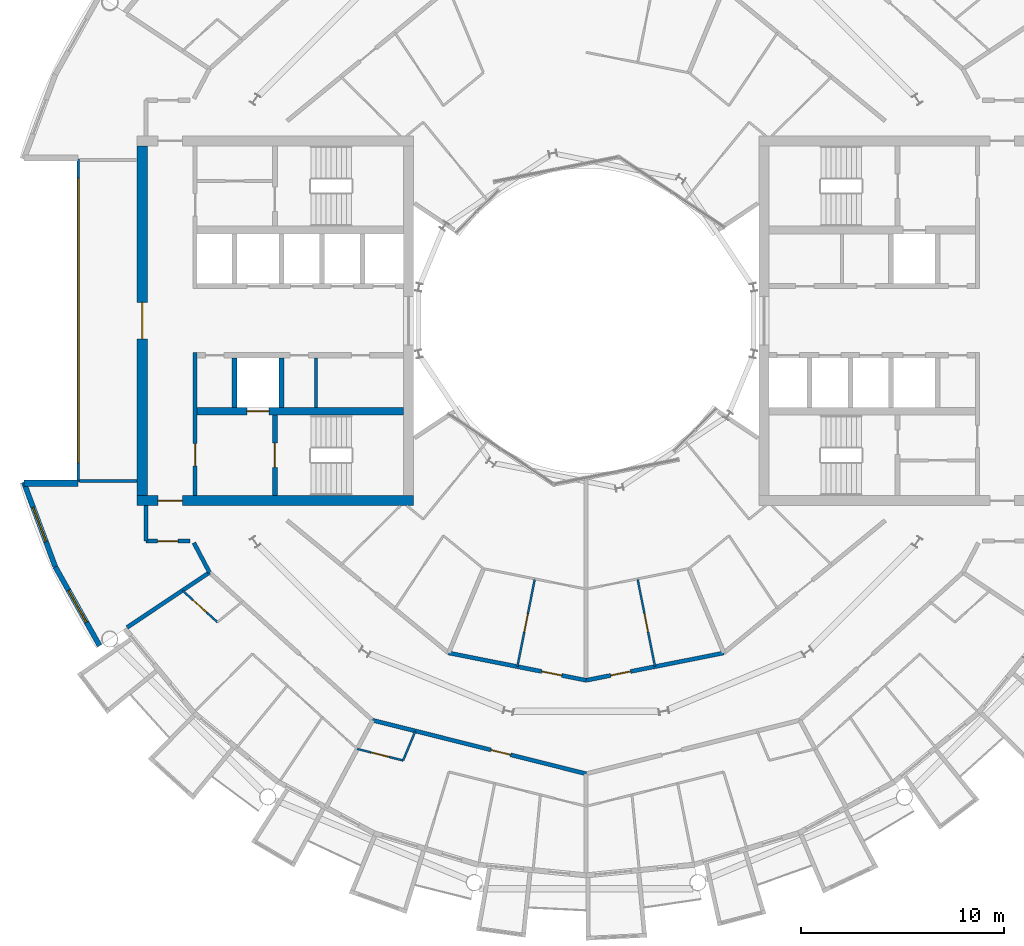
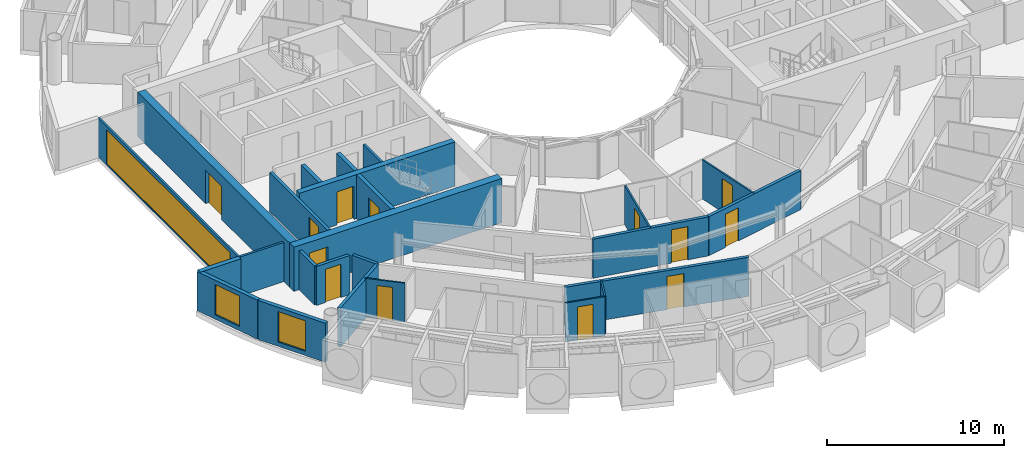
# One storey, part 15 of 27: 25 walls, 13 doors, 3 windows, 16 openings.
"""IFC4 building model written with IfcOpenShell, lengths in metres."""

import ifcopenshell
import ifcopenshell.guid

model = None  # the IFC model being written
_history = None  # IfcOwnerHistory: only IFC2X3 demands one
_inside = {}  # id of a spatial element -> (the spatial element, [elements in it])
_under = {}  # id of a project, library or spatial element -> (it, [spatial elements below it])
_declared = {}  # id of a project -> (the project, [libraries it declares])
_typed = {}  # id of a type object -> (the type object, [elements of that type])
_made_of = {}  # id of a material, layer set ... -> (it, [elements and type objects made of it])


def new_model(schema):
    """Start an empty IFC model of exactly this schema.

    Asked for "IFC4X3", IfcOpenShell would pick the latest addendum, in which some entities
    have other attributes; the version numbers below select the first issue.
    IFC2X3 requires an IfcOwnerHistory on every rooted entity: one is made here for all.
    """
    global model, _history
    if schema == "IFC4X3":
        model = ifcopenshell.file(schema_version=(4, 3, 0, 0))
    else:
        model = ifcopenshell.file(schema=schema)
    _inside.clear()
    _under.clear()
    _declared.clear()
    _typed.clear()
    _made_of.clear()
    _history = None
    if model.schema == "IFC2X3":
        org = make("IfcOrganization", Name="unknown")
        user = make(
            "IfcPersonAndOrganization",
            ThePerson=make("IfcPerson", FamilyName="unknown"),
            TheOrganization=org,
        )
        app = make(
            "IfcApplication",
            ApplicationDeveloper=org,
            Version="unknown",
            ApplicationFullName="unknown",
            ApplicationIdentifier="unknown",
        )
        _history = make(
            "IfcOwnerHistory",
            OwningUser=user,
            OwningApplication=app,
            ChangeAction="ADDED",
            CreationDate=0,
        )
    return model


def make(cls, **values):
    """One entity of the class cls with the attributes given. An attribute that is None is left unset."""
    return model.create_entity(
        cls, **{name: value for name, value in values.items() if value is not None}
    )


def rooted(cls, **values):
    """An entity with a GlobalId (a new one), such as an element, a storey or a relation."""
    return make(cls, GlobalId=ifcopenshell.guid.new(), OwnerHistory=_history, **values)


def si_unit(unit_type, name, prefix=None):
    """IfcSIUnit, for example si_unit("LENGTHUNIT", "METRE", prefix="MILLI")."""
    return make("IfcSIUnit", UnitType=unit_type, Prefix=prefix, Name=name)


def assignment(units):
    """IfcUnitAssignment: the units of a project."""
    return None if units is None else make("IfcUnitAssignment", Units=units)


def point(xyz):
    """IfcCartesianPoint."""
    return None if xyz is None else make("IfcCartesianPoint", Coordinates=xyz)


def direction(xyz):
    """IfcDirection."""
    return None if xyz is None else make("IfcDirection", DirectionRatios=xyz)


def frame(location, z_axis=None, x_axis=None):
    """IfcAxis2Placement3D, a coordinate frame: its origin and axes. An axis left out is left unset."""
    return make(
        "IfcAxis2Placement3D",
        Location=point(location),
        Axis=direction(z_axis),
        RefDirection=direction(x_axis),
    )


def frame_2d(location, x_axis=None):
    """IfcAxis2Placement2D, a coordinate frame in the plane: its origin and x axis."""
    return make(
        "IfcAxis2Placement2D", Location=point(location), RefDirection=direction(x_axis)
    )


def origin():
    """The frame at (0, 0, 0) with its axes left unset."""
    return frame((0.0, 0.0, 0.0))


def place(relative_to, where):
    """IfcLocalPlacement: puts the frame where relative to a parent placement (None: the world)."""
    return make(
        "IfcLocalPlacement", PlacementRelTo=relative_to, RelativePlacement=where
    )


def context(
    kind, dimensions, precision=None, world=None, true_north=None, identifier=None
):
    """IfcGeometricRepresentationContext, for example the 3D "Model" context."""
    return make(
        "IfcGeometricRepresentationContext",
        ContextIdentifier=identifier,
        ContextType=kind,
        CoordinateSpaceDimension=dimensions,
        Precision=precision,
        WorldCoordinateSystem=world,
        TrueNorth=true_north,
    )


def subcontext(parent, identifier, kind, view, scale=None):
    """IfcGeometricRepresentationSubContext, for example "Body" below "Model"."""
    return make(
        "IfcGeometricRepresentationSubContext",
        ContextIdentifier=identifier,
        ContextType=kind,
        ParentContext=parent,
        TargetScale=scale,
        TargetView=view,
    )


def project(units=None, contexts=None):
    """IfcProject with its units and contexts."""
    return rooted(
        "IfcProject",
        Name="project",
        RepresentationContexts=contexts,
        UnitsInContext=assignment(units),
    )


def spatial(cls, under=None, at=None, **own):
    """A site, building, storey or space (cls), placed at a placement, below another one or the project."""
    s = rooted(cls, ObjectPlacement=at, **own)
    if under is not None:
        _under.setdefault(under.id(), (under, []))[1].append(s)
    return s


def profile(cls, at=None, kind="AREA", **sizes):
    """A parametric profile (cls). Its sizes go by their IFC names, for example OverallWidth=200.0."""
    return make(cls, ProfileType=kind, Position=at, **sizes)


def rectangle(**sizes):
    """IfcRectangleProfileDef."""
    return profile("IfcRectangleProfileDef", **sizes)


def extrude(swept, where, along, depth):
    """IfcExtrudedAreaSolid: the profile swept, set in the frame where, extruded along a direction by depth."""
    return make(
        "IfcExtrudedAreaSolid",
        SweptArea=swept,
        Position=where,
        ExtrudedDirection=direction(along),
        Depth=depth,
    )


def shape(context_of_items, identifier, shape_type, items):
    """IfcShapeRepresentation: the items that make up one representation, for example the "Body"."""
    return make(
        "IfcShapeRepresentation",
        ContextOfItems=context_of_items,
        RepresentationIdentifier=identifier,
        RepresentationType=shape_type,
        Items=items,
    )


def material(Name=None, Category=None):
    """IfcMaterial."""
    return make("IfcMaterial", Name=Name, Category=Category)


def layer(
    of_material, thickness, ventilated=None, Name=None, Category=None, Priority=None
):
    """IfcMaterialLayer: one layer of a wall or slab, of a material (None: an air gap)."""
    return make(
        "IfcMaterialLayer",
        Material=of_material,
        LayerThickness=thickness,
        IsVentilated=ventilated,
        Name=Name,
        Category=Category,
        Priority=Priority,
    )


def layer_set(layers, Name=None):
    """IfcMaterialLayerSet."""
    return make("IfcMaterialLayerSet", MaterialLayers=layers, LayerSetName=Name)


def made_of(thing, what):
    """Note that an element or type object is made of a material, layer set ...; save() writes the relation."""
    if what is not None:
        _made_of.setdefault(what.id(), (what, []))[1].append(thing)
    return thing


def type_object(cls, material=None, **own):
    """A type object (cls), such as IfcWallType, which elements share."""
    return made_of(rooted(cls, **own), material)


def element(
    cls,
    number,
    at=None,
    inside=None,
    cuts=None,
    type_object=None,
    material=None,
    context=None,
    identifier="Body",
    shape_type=None,
    held_by="IfcProductDefinitionShape",
    body=None,
    shapes=None,
    **own,
):
    """One element of the class cls, such as IfcWall. Its Tag is "e" and its number.

    at: its placement. inside: the storey or other place that contains it. cuts: it is an
    opening in that element (IfcRelVoidsElement). A single representation is given by context,
    identifier, shape_type and body (its items); several are given by shapes. held_by: the class
    of the entity that holds the representations. save() writes the other relations.
    """
    e = rooted(cls, Tag="e%d" % number, ObjectPlacement=at, **own)
    if body is not None:
        shapes = [shape(context, identifier, shape_type, body)]
    if shapes is not None:
        e.Representation = make(held_by, Representations=shapes)
    if inside is not None:
        _inside.setdefault(inside.id(), (inside, []))[1].append(e)
    if cuts is not None:
        rooted(
            "IfcRelVoidsElement", RelatingBuildingElement=cuts, RelatedOpeningElement=e
        )
    if type_object is not None:
        _typed.setdefault(type_object.id(), (type_object, []))[1].append(e)
    return made_of(e, material)


def fill(opening, filler):
    """IfcRelFillsElement: the door or window that sits in an opening."""
    return rooted(
        "IfcRelFillsElement",
        RelatingOpeningElement=opening,
        RelatedBuildingElement=filler,
    )


def aggregate(whole, parts):
    """IfcRelAggregates: a whole, such as a stair, and the parts it consists of."""
    return rooted("IfcRelAggregates", RelatingObject=whole, RelatedObjects=parts)


def save(model, path):
    """Write the relations noted so far, then the file.

    IfcRelAggregates (storeys below a building ...), IfcRelContainedInSpatialStructure (elements
    in a storey), IfcRelDefinesByType, IfcRelAssociatesMaterial and IfcRelDeclares: one each for
    every whole, place, type object, material and project.
    """
    for whole, parts in _under.values():
        aggregate(whole, parts)
    for where, things in _inside.values():
        rooted(
            "IfcRelContainedInSpatialStructure",
            RelatedElements=things,
            RelatingStructure=where,
        )
    for kind, things in _typed.values():
        rooted("IfcRelDefinesByType", RelatedObjects=things, RelatingType=kind)
    for what, things in _made_of.values():
        rooted("IfcRelAssociatesMaterial", RelatedObjects=things, RelatingMaterial=what)
    for by, libraries in _declared.values():
        rooted("IfcRelDeclares", RelatingContext=by, RelatedDefinitions=libraries)
    model.write(path)


model = new_model("IFC4")

# Units and contexts
model_context = context("Model", 3, precision=1e-05, world=origin(), true_north=direction((0.0, 1.0)))
body_context = subcontext(model_context, "Body", "Model", "MODEL_VIEW")
ifc_project = project(units=[si_unit("LENGTHUNIT", "METRE"), si_unit("AREAUNIT", "SQUARE_METRE"), si_unit("VOLUMEUNIT", "CUBIC_METRE"), si_unit("PLANEANGLEUNIT", "RADIAN"), si_unit("MASSUNIT", "GRAM", prefix="KILO")], contexts=[model_context])

# Site, building, storey
site_placement = place(None, origin())
site = spatial("IfcSite", under=ifc_project, at=site_placement, CompositionType="ELEMENT")
building_placement = place(site_placement, origin())
building = spatial("IfcBuilding", under=site, at=building_placement, Name="Maasbend Ring Residences", CompositionType="ELEMENT")
storey_placement = place(building_placement, frame((0.0, 0.0, 164.64990234375)))
storey = spatial("IfcBuildingStorey", under=building, at=storey_placement, Name="L47", CompositionType="ELEMENT", Elevation=164.64990234375)

# Wall, opening, door
ifc_material_1 = material(Name="Concrete C60/75", Category="concrete")
ifc_layer_1 = layer(ifc_material_1, 0.25)
ifc_layer_set_1 = layer_set([ifc_layer_1], Name="Concrete C60/75")
wall_type_1 = type_object("IfcWallType", Name="CORE WALL 250 C60/75", PredefinedType="SHEAR", material=ifc_layer_set_1)
wall_1_placement = place(storey_placement, frame((-15.324951171875, -4.64990234375, 0.0), z_axis=(0.0, 0.0, 1.0), x_axis=(0.0, -1.0, 0.0)))
wall_1 = element("IfcWall", 1, at=wall_1_placement, inside=storey, type_object=wall_type_1, Name="L47 core W wall STEN", PredefinedType="SHEAR", context=body_context, shape_type="SweptSolid", body=[
    extrude(rectangle(XDim=3.9501953125, YDim=0.25, at=frame_2d((1.97509765625, 0.0))), origin(), (0.0, 0.0, 1.0), 3.050048828125),
])
opening_1_placement = place(wall_1_placement, frame((1.375, 0.0, 0.0)))
opening_1 = element("IfcOpeningElement", 2, at=opening_1_placement, cuts=wall_1, Name="Opening D-W4710", PredefinedType="OPENING", context=body_context, shape_type="SweptSolid", body=[
    extrude(rectangle(XDim=1.199951171875, YDim=2.300048828125, at=frame_2d((0.60009765625, 1.14990234375))), frame((0.0, 0.135009765625, 0.0), z_axis=(0.0, -1.0, 0.0), x_axis=(1.0, 0.0, 0.0)), (0.0, 0.0, 1.0), 0.27001953125),
])
ifc_material_2 = material(Name="Steel, powder coated", Category="steel")
door_type_1 = type_object("IfcDoorType", Name="STAIR DOOR 1200 X 2300 FD60", OperationType="NOTDEFINED", PredefinedType="DOOR", material=ifc_material_2)
door_1_placement = place(opening_1_placement, origin())
door_1 = element("IfcDoor", 3, at=door_1_placement, inside=storey, type_object=door_type_1, Name="Stair door ST-W L47", OperationType="SINGLE_SWING_LEFT", OverallHeight=2.300048828125, OverallWidth=1.199951171875, PredefinedType="DOOR", context=body_context, shape_type="SweptSolid", body=[
    extrude(rectangle(XDim=1.199951171875, YDim=2.300048828125, at=frame_2d((0.60009765625, 1.14990234375))), frame((0.0, 0.02490234375, 0.0), z_axis=(0.0, -1.0, 0.0), x_axis=(1.0, 0.0, 0.0)), (0.0, 0.0, 1.0), 0.050048828125),
])
fill(opening_1, door_1)

ifc_material_3 = material(Name="Concrete C60/75", Category="concrete")
ifc_layer_2 = layer(ifc_material_3, 0.375)
ifc_layer_set_2 = layer_set([ifc_layer_2], Name="Concrete C60/75")
wall_type_2 = type_object("IfcWallType", Name="CORE WALL 375 C60/75", PredefinedType="SHEAR", material=ifc_layer_set_2)
wall_2_placement = place(storey_placement, frame((-9.0, -4.46240234375, 0.0), z_axis=(0.0, 0.0, 1.0), x_axis=(-1.0, 0.0, 0.0)))
wall_2 = element("IfcWall", 4, at=wall_2_placement, inside=storey, type_object=wall_type_2, Name="L47 core W wall BN", PredefinedType="SHEAR", context=body_context, shape_type="SweptSolid", body=[
    extrude(rectangle(XDim=10.14990234375, YDim=0.375, at=frame_2d((5.074951171875, 0.0))), origin(), (0.0, 0.0, 1.0), 3.050048828125),
])
opening_2_placement = place(wall_2_placement, frame((6.60009765625, 0.0, 0.0)))
opening_2 = element("IfcOpeningElement", 5, at=opening_2_placement, cuts=wall_2, Name="Opening LD-W4701", PredefinedType="OPENING", context=body_context, shape_type="SweptSolid", body=[
    extrude(rectangle(XDim=1.10009765625, YDim=2.300048828125, at=frame_2d((0.550048828125, 1.14990234375))), frame((0.0, 0.197509765625, 0.0), z_axis=(0.0, -1.0, 0.0), x_axis=(1.0, 0.0, 0.0)), (0.0, 0.0, 1.0), 0.39501953125),
])
ifc_material_4 = material(Name="Stainless steel 316", Category="steel")
door_type_2 = type_object("IfcDoorType", Name="LANDING DOOR 1100 X 2300 FD60", OperationType="DOUBLE_DOOR_SLIDING", PredefinedType="DOOR", material=ifc_material_4)
door_2_placement = place(opening_2_placement, origin())
door_2 = element("IfcDoor", 6, at=door_2_placement, inside=storey, type_object=door_type_2, Name="Landing door FF-W L47", OperationType="DOUBLE_DOOR_SLIDING", OverallHeight=2.300048828125, OverallWidth=1.10009765625, PredefinedType="DOOR", context=body_context, shape_type="SweptSolid", body=[
    extrude(rectangle(XDim=1.10009765625, YDim=2.300048828125, at=frame_2d((0.550048828125, 1.14990234375))), frame((0.0, 0.02490234375, 0.0), z_axis=(0.0, -1.0, 0.0), x_axis=(1.0, 0.0, 0.0)), (0.0, 0.0, 1.0), 0.050048828125),
])
fill(opening_2, door_2)

ifc_material_5 = material(Name="Concrete C60/75", Category="concrete")
ifc_layer_3 = layer(ifc_material_5, 0.5)
ifc_layer_set_3 = layer_set([ifc_layer_3], Name="Concrete C60/75")
wall_type_3 = type_object("IfcWallType", Name="CORE WALL 500 C60/75", PredefinedType="SHEAR", material=ifc_layer_set_3)
wall_3_placement = place(storey_placement, frame((-22.10009765625, -8.85009765625, 0.0), z_axis=(0.0, 0.0, 1.0), x_axis=(1.0, 0.0, 0.0)))
wall_3 = element("IfcWall", 7, at=wall_3_placement, inside=storey, type_object=wall_type_3, Name="L47 core W wall PN", PredefinedType="SHEAR", context=body_context, shape_type="SweptSolid", body=[
    extrude(rectangle(XDim=13.60009765625, YDim=0.5, at=frame_2d((6.800048828125, 0.0))), origin(), (0.0, 0.0, 1.0), 3.050048828125),
])
opening_3_placement = place(wall_3_placement, frame((1.02490234375, 0.0, 0.0)))
opening_3 = element("IfcOpeningElement", 8, at=opening_3_placement, cuts=wall_3, Name="Opening D-W4714", PredefinedType="OPENING", context=body_context, shape_type="SweptSolid", body=[
    extrude(rectangle(XDim=1.199951171875, YDim=2.300048828125, at=frame_2d((0.60009765625, 1.14990234375))), frame((0.0, 0.260009765625, 0.0), z_axis=(0.0, -1.0, 0.0), x_axis=(1.0, 0.0, 0.0)), (0.0, 0.0, 1.0), 0.52001953125),
])
ifc_material_6 = material(Name="Steel, powder coated", Category="steel")
door_type_3 = type_object("IfcDoorType", Name="CORRIDOR DOOR 1200 X 2300 FD30S", OperationType="NOTDEFINED", PredefinedType="DOOR", material=ifc_material_6)
door_3_placement = place(opening_3_placement, origin())
door_3 = element("IfcDoor", 9, at=door_3_placement, inside=storey, type_object=door_type_3, Name="Corridor door L47", OperationType="SINGLE_SWING_RIGHT", OverallHeight=2.300048828125, OverallWidth=1.199951171875, PredefinedType="DOOR", context=body_context, shape_type="SweptSolid", body=[
    extrude(rectangle(XDim=1.199951171875, YDim=2.300048828125, at=frame_2d((0.60009765625, 1.14990234375))), frame((0.0, 0.02490234375, 0.0), z_axis=(0.0, -1.0, 0.0), x_axis=(1.0, 0.0, 0.0)), (0.0, 0.0, 1.0), 0.050048828125),
])
fill(opening_3, door_3)

wall_4_placement = place(storey_placement, frame((-21.85009765625, -8.60009765625, 0.0), z_axis=(0.0, 0.0, 1.0), x_axis=(0.0, 1.0, 0.0)))
wall_4 = element("IfcWall", 10, at=wall_4_placement, inside=storey, type_object=wall_type_3, Name="L47 core W wall POUT", PredefinedType="SHEAR", context=body_context, shape_type="SweptSolid", body=[
    extrude(rectangle(XDim=17.2001953125, YDim=0.5, at=frame_2d((8.60009765625, 0.0))), origin(), (0.0, 0.0, 1.0), 3.050048828125),
])
opening_4_placement = place(wall_4_placement, frame((7.699951171875, 0.0, 0.0)))
opening_4 = element("IfcOpeningElement", 11, at=opening_4_placement, cuts=wall_4, Name="Opening D-W4716", PredefinedType="OPENING", context=body_context, shape_type="SweptSolid", body=[
    extrude(rectangle(XDim=1.800048828125, YDim=2.300048828125, at=frame_2d((0.89990234375, 1.14990234375))), frame((0.0, 0.260009765625, 0.0), z_axis=(0.0, -1.0, 0.0), x_axis=(1.0, 0.0, 0.0)), (0.0, 0.0, 1.0), 0.52001953125),
])
ifc_material_7 = material(Name="Aluminium frame, clear glass", Category="aluminium")
door_type_4 = type_object("IfcDoorType", Name="ENTRANCE DOOR 1800 X 2300 FD60", OperationType="NOTDEFINED", PredefinedType="DOOR", material=ifc_material_7)
door_4_placement = place(opening_4_placement, origin())
door_4 = element("IfcDoor", 12, at=door_4_placement, inside=storey, type_object=door_type_4, Name="Lobby glazed door L47", OperationType="SINGLE_SWING_LEFT", OverallHeight=2.300048828125, OverallWidth=1.800048828125, PredefinedType="DOOR", context=body_context, shape_type="SweptSolid", body=[
    extrude(rectangle(XDim=1.800048828125, YDim=2.300048828125, at=frame_2d((0.89990234375, 1.14990234375))), frame((0.0, 0.02490234375, 0.0), z_axis=(0.0, -1.0, 0.0), x_axis=(1.0, 0.0, 0.0)), (0.0, 0.0, 1.0), 0.050048828125),
])
fill(opening_4, door_4)

# Wall
ifc_material_8 = material(Name="Concrete C30/37", Category="concrete")
ifc_layer_4 = layer(ifc_material_8, 0.199951171875)
ifc_layer_set_4 = layer_set([ifc_layer_4], Name="Concrete C30/37")
wall_type_4 = type_object("IfcWallType", Name="CORRIDOR WALL 200 CONCRETE", PredefinedType="PARTITIONING", material=ifc_layer_set_4)
wall_5_placement = place(storey_placement, frame((-19.306884765625, -10.93505859375, 0.0), z_axis=(0.0, 0.0, 1.0), x_axis=(0.465605550524, -0.884992356646, 0.0)))
element("IfcWall", 13, at=wall_5_placement, inside=storey, type_object=wall_type_4, Name="U-L47-w009", PredefinedType="PARTITIONING", context=body_context, shape_type="SweptSolid", body=[
    extrude(rectangle(XDim=1.642822265625, YDim=0.199951171875, at=frame_2d((0.8212890625, 0.0))), origin(), (0.0, 0.0, 1.0), 2.7001953125),
])

# Wall, opening, door
wall_6_placement = place(storey_placement, frame((-10.51806640625, -19.6650390625, 0.0), z_axis=(0.0, 0.0, 1.0), x_axis=(0.970023181991, -0.243012399685, 0.0)))
wall_6 = element("IfcWall", 14, at=wall_6_placement, inside=storey, type_object=wall_type_4, Name="U-L47-w014", PredefinedType="PARTITIONING", context=body_context, shape_type="SweptSolid", body=[
    extrude(rectangle(XDim=10.843017578125, YDim=0.199951171875, at=frame_2d((5.42138671875, 0.0))), origin(), (0.0, 0.0, 1.0), 2.7001953125),
])
opening_5_placement = place(wall_6_placement, frame((6.008056640625, 0.0, 0.0)))
opening_5 = element("IfcOpeningElement", 15, at=opening_5_placement, cuts=wall_6, Name="Opening D-4737", PredefinedType="OPENING", context=body_context, shape_type="SweptSolid", body=[
    extrude(rectangle(XDim=1.0, YDim=2.300048828125, at=frame_2d((0.5, 1.14990234375))), frame((0.0, 0.10986328125, 0.0), z_axis=(0.0, -1.0, 0.0), x_axis=(1.0, 0.0, 0.0)), (0.0, 0.0, 1.0), 0.219970703125),
])
ifc_material_9 = material(Name="Timber, fire-rated, painted", Category="wood")
door_type_5 = type_object("IfcDoorType", Name="FLAT ENTRANCE DOOR 1000 X 2300 FIRE-RATED", OperationType="NOTDEFINED", PredefinedType="DOOR", material=ifc_material_9)
door_5_placement = place(opening_5_placement, origin())
door_5 = element("IfcDoor", 16, at=door_5_placement, inside=storey, type_object=door_type_5, Name="D-4737", OperationType="SINGLE_SWING_RIGHT", OverallHeight=2.300048828125, OverallWidth=1.0, PredefinedType="DOOR", context=body_context, shape_type="SweptSolid", body=[
    extrude(rectangle(XDim=1.0, YDim=2.300048828125, at=frame_2d((0.5, 1.14990234375))), frame((0.0, 0.02490234375, 0.0), z_axis=(0.0, -1.0, 0.0), x_axis=(1.0, 0.0, 0.0)), (0.0, 0.0, 1.0), 0.050048828125),
])
fill(opening_5, door_5)

wall_7_placement = place(storey_placement, frame((-6.77294921875, -16.35302734375, 0.0), z_axis=(0.0, 0.0, 1.0), x_axis=(0.980804334721, -0.194994505033, 0.0)))
wall_7 = element("IfcWall", 17, at=wall_7_placement, inside=storey, type_object=wall_type_4, Name="U-L47-w017", PredefinedType="PARTITIONING", context=body_context, shape_type="SweptSolid", body=[
    extrude(rectangle(XDim=6.907470703125, YDim=0.199951171875, at=frame_2d((3.45361328125, 0.0))), origin(), (0.0, 0.0, 1.0), 2.7001953125),
])
opening_6_placement = place(wall_7_placement, frame((4.679931640625, 0.0, 0.0)))
opening_6 = element("IfcOpeningElement", 18, at=opening_6_placement, cuts=wall_7, Name="Opening D-4756", PredefinedType="OPENING", context=body_context, shape_type="SweptSolid", body=[
    extrude(rectangle(XDim=1.0, YDim=2.300048828125, at=frame_2d((0.5, 1.14990234375))), frame((0.0, 0.10986328125, 0.0), z_axis=(0.0, -1.0, 0.0), x_axis=(1.0, 0.0, 0.0)), (0.0, 0.0, 1.0), 0.219970703125),
])
door_6_placement = place(opening_6_placement, origin())
door_6 = element("IfcDoor", 19, at=door_6_placement, inside=storey, type_object=door_type_5, Name="D-4756", OperationType="SINGLE_SWING_RIGHT", OverallHeight=2.300048828125, OverallWidth=1.0, PredefinedType="DOOR", context=body_context, shape_type="SweptSolid", body=[
    extrude(rectangle(XDim=1.0, YDim=2.300048828125, at=frame_2d((0.5, 1.14990234375))), frame((0.0, 0.02490234375, 0.0), z_axis=(0.0, -1.0, 0.0), x_axis=(1.0, 0.0, 0.0)), (0.0, 0.0, 1.0), 0.050048828125),
])
fill(opening_6, door_6)

wall_8_placement = place(storey_placement, frame((-0.001953125, -17.699951171875, 0.0), z_axis=(0.0, 0.0, 1.0), x_axis=(0.98081508138, 0.194940442538, 0.0)))
wall_8 = element("IfcWall", 20, at=wall_8_placement, inside=storey, type_object=wall_type_4, Name="U-L47-w018", PredefinedType="PARTITIONING", context=body_context, shape_type="SweptSolid", body=[
    extrude(rectangle(XDim=6.909423828125, YDim=0.199951171875, at=frame_2d((3.45458984375, 0.0))), origin(), (0.0, 0.0, 1.0), 2.7001953125),
])
opening_7_placement = place(wall_8_placement, frame((1.22802734375, 0.0, 0.0)))
opening_7 = element("IfcOpeningElement", 21, at=opening_7_placement, cuts=wall_8, Name="Opening D-4759", PredefinedType="OPENING", context=body_context, shape_type="SweptSolid", body=[
    extrude(rectangle(XDim=1.0, YDim=2.300048828125, at=frame_2d((0.5, 1.14990234375))), frame((0.0, 0.10986328125, 0.0), z_axis=(0.0, -1.0, 0.0), x_axis=(1.0, 0.0, 0.0)), (0.0, 0.0, 1.0), 0.219970703125),
])
door_7_placement = place(opening_7_placement, origin())
door_7 = element("IfcDoor", 22, at=door_7_placement, inside=storey, type_object=door_type_5, Name="D-4759", OperationType="SINGLE_SWING_LEFT", OverallHeight=2.300048828125, OverallWidth=1.0, PredefinedType="DOOR", context=body_context, shape_type="SweptSolid", body=[
    extrude(rectangle(XDim=1.0, YDim=2.300048828125, at=frame_2d((0.5, 1.14990234375))), frame((0.0, 0.02490234375, 0.0), z_axis=(0.0, -1.0, 0.0), x_axis=(1.0, 0.0, 0.0)), (0.0, 0.0, 1.0), 0.050048828125),
])
fill(opening_7, door_7)

wall_9_placement = place(storey_placement, frame((-21.675048828125, -10.85009765625, 0.0), z_axis=(0.0, 0.0, 1.0), x_axis=(1.0, 0.0, 0.0)))
wall_9 = element("IfcWall", 23, at=wall_9_placement, inside=storey, type_object=wall_type_4, Name="U-L47-w027", PredefinedType="PARTITIONING", context=body_context, shape_type="SweptSolid", body=[
    extrude(rectangle(XDim=2.171142578125, YDim=0.199951171875, at=frame_2d((1.08544921875, 0.0))), origin(), (0.0, 0.0, 1.0), 2.7001953125),
])
opening_8_placement = place(wall_9_placement, frame((0.5849609375, 0.0, 0.0)))
opening_8 = element("IfcOpeningElement", 24, at=opening_8_placement, cuts=wall_9, Name="Opening D-4766", PredefinedType="OPENING", context=body_context, shape_type="SweptSolid", body=[
    extrude(rectangle(XDim=1.0, YDim=2.300048828125, at=frame_2d((0.5, 1.14990234375))), frame((0.0, 0.10986328125, 0.0), z_axis=(0.0, -1.0, 0.0), x_axis=(1.0, 0.0, 0.0)), (0.0, 0.0, 1.0), 0.219970703125),
])
ifc_material_10 = material(Name="Timber, painted", Category="wood")
door_type_6 = type_object("IfcDoorType", Name="ROOM DOOR 1000 X 2300", OperationType="NOTDEFINED", PredefinedType="DOOR", material=ifc_material_10)
door_8_placement = place(opening_8_placement, origin())
door_8 = element("IfcDoor", 25, at=door_8_placement, inside=storey, type_object=door_type_6, Name="D-4766", OperationType="SINGLE_SWING_LEFT", OverallHeight=2.300048828125, OverallWidth=1.0, PredefinedType="DOOR", context=body_context, shape_type="SweptSolid", body=[
    extrude(rectangle(XDim=1.0, YDim=2.300048828125, at=frame_2d((0.5, 1.14990234375))), frame((0.0, 0.02490234375, 0.0), z_axis=(0.0, -1.0, 0.0), x_axis=(1.0, 0.0, 0.0)), (0.0, 0.0, 1.0), 0.050048828125),
])
fill(opening_8, door_8)

# Wall
wall_10_placement = place(storey_placement, frame((-21.675048828125, -10.85009765625, 0.0), z_axis=(0.0, 0.0, 1.0), x_axis=(0.0, 1.0, 0.0)))
element("IfcWall", 26, at=wall_10_placement, inside=storey, type_object=wall_type_4, Name="U-L47-w108", PredefinedType="PARTITIONING", context=body_context, shape_type="SweptSolid", body=[
    extrude(rectangle(XDim=1.75, YDim=0.199951171875, at=frame_2d((0.875, 0.0))), origin(), (0.0, 0.0, 1.0), 2.7001953125),
])

# Wall, opening, window
ifc_material_11 = material(Name="Aluminium clad insulated panel", Category="aluminium")
ifc_layer_5 = layer(ifc_material_11, 0.25)
ifc_layer_set_5 = layer_set([ifc_layer_5], Name="EW-HORN")
wall_type_5 = type_object("IfcWallType", Name="EW-HORN", PredefinedType="SOLIDWALL", material=ifc_layer_set_5)
wall_11_placement = place(storey_placement, frame((-27.681884765625, -7.945068359375, 0.0), z_axis=(0.0, 0.0, 1.0), x_axis=(0.349247811493, -0.937030397675, 0.0)))
wall_11 = element("IfcWall", 27, at=wall_11_placement, inside=storey, type_object=wall_type_5, Name="Horn wall 3.1", PredefinedType="SOLIDWALL", context=body_context, shape_type="SweptSolid", body=[
    extrude(rectangle(XDim=4.4521484375, YDim=0.25, at=frame_2d((2.22607421875, 0.0))), origin(), (0.0, 0.0, 1.0), 2.7001953125),
])
opening_9_placement = place(wall_11_placement, frame((1.32666015625, 0.0, 0.300048828125)))
opening_9 = element("IfcOpeningElement", 28, at=opening_9_placement, cuts=wall_11, Name="Opening W-BX", PredefinedType="OPENING", context=body_context, shape_type="SweptSolid", body=[
    extrude(rectangle(XDim=1.800048828125, YDim=2.10009765625, at=frame_2d((0.89990234375, 1.050048828125))), frame((0.0, 0.135009765625, 0.0), z_axis=(0.0, -1.0, 0.0), x_axis=(1.0, 0.0, 0.0)), (0.0, 0.0, 1.0), 0.27001953125),
])
ifc_material_12 = material(Name="Aluminium and clear glass", Category="aluminium")
window_type_1 = type_object("IfcWindowType", Name="W-BX", PartitioningType="DOUBLE_PANEL_VERTICAL", PredefinedType="WINDOW", material=ifc_material_12)
window_1_placement = place(opening_9_placement, origin())
window_1 = element("IfcWindow", 29, at=window_1_placement, inside=storey, type_object=window_type_1, Name="Horn window 3.1", OverallHeight=2.10009765625, OverallWidth=1.800048828125, PartitioningType="SINGLE_PANEL", PredefinedType="WINDOW", context=body_context, shape_type="SweptSolid", body=[
    extrude(rectangle(XDim=1.800048828125, YDim=2.10009765625, at=frame_2d((0.89990234375, 1.050048828125))), frame((0.0, 0.030029296875, 0.0), z_axis=(0.0, -1.0, 0.0), x_axis=(1.0, 0.0, 0.0)), (0.0, 0.0, 1.0), 0.06005859375),
])
fill(opening_9, window_1)

wall_12_placement = place(storey_placement, frame((-26.126953125, -12.116943359375, 0.0), z_axis=(0.0, 0.0, 1.0), x_axis=(0.489696356642, -0.871893042919, 0.0)))
wall_12 = element("IfcWall", 30, at=wall_12_placement, inside=storey, type_object=wall_type_5, Name="Horn wall 3.2", PredefinedType="SOLIDWALL", context=body_context, shape_type="SweptSolid", body=[
    extrude(rectangle(XDim=4.45361328125, YDim=0.25, at=frame_2d((2.226806640625, 0.0))), origin(), (0.0, 0.0, 1.0), 2.7001953125),
])
opening_10_placement = place(wall_12_placement, frame((1.32666015625, 0.0, 0.300048828125)))
opening_10 = element("IfcOpeningElement", 31, at=opening_10_placement, cuts=wall_12, Name="Opening W-BX", PredefinedType="OPENING", context=body_context, shape_type="SweptSolid", body=[
    extrude(rectangle(XDim=1.800048828125, YDim=2.10009765625, at=frame_2d((0.89990234375, 1.050048828125))), frame((0.0, 0.135009765625, 0.0), z_axis=(0.0, -1.0, 0.0), x_axis=(1.0, 0.0, 0.0)), (0.0, 0.0, 1.0), 0.27001953125),
])
window_2_placement = place(opening_10_placement, origin())
window_2 = element("IfcWindow", 32, at=window_2_placement, inside=storey, type_object=window_type_1, Name="Horn window 3.2", OverallHeight=2.10009765625, OverallWidth=1.800048828125, PartitioningType="SINGLE_PANEL", PredefinedType="WINDOW", context=body_context, shape_type="SweptSolid", body=[
    extrude(rectangle(XDim=1.800048828125, YDim=2.10009765625, at=frame_2d((0.89990234375, 1.050048828125))), frame((0.0, 0.030029296875, 0.0), z_axis=(0.0, -1.0, 0.0), x_axis=(1.0, 0.0, 0.0)), (0.0, 0.0, 1.0), 0.06005859375),
])
fill(opening_10, window_2)

# Wall
ifc_material_13 = material(Name="Aluminium clad insulated panel", Category="aluminium")
ifc_layer_6 = layer(ifc_material_13, 0.300048828125)
ifc_layer_set_6 = layer_set([ifc_layer_6], Name="EW-RET")
wall_type_6 = type_object("IfcWallType", Name="EW-RET", PredefinedType="SOLIDWALL", material=ifc_layer_set_6)
wall_13_placement = place(storey_placement, frame((-25.0, -8.0, 0.0), z_axis=(0.0, 0.0, 1.0), x_axis=(-1.0, 0.0, 0.0)))
element("IfcWall", 33, at=wall_13_placement, inside=storey, type_object=wall_type_6, Name="Notch return wall west south", PredefinedType="SOLIDWALL", context=body_context, shape_type="SweptSolid", body=[
    extrude(rectangle(XDim=2.6669921875, YDim=0.300048828125, at=frame_2d((1.33349609375, 0.0))), origin(), (0.0, 0.0, 1.0), 2.7001953125),
])

# Wall, opening, window
ifc_material_14 = material(Name="Aluminium frame and clear glass", Category="aluminium")
ifc_layer_7 = layer(ifc_material_14, 0.1201171875)
ifc_layer_set_7 = layer_set([ifc_layer_7], Name="GLAZED SCREEN WALL 120 EI 60")
wall_type_7 = type_object("IfcWallType", Name="GLAZED SCREEN WALL 120 EI 60", PredefinedType="PARTITIONING", material=ifc_layer_set_7)
wall_14_placement = place(storey_placement, frame((-25.0, 7.949951171875, 0.0), z_axis=(0.0, 0.0, 1.0), x_axis=(0.0, -1.0, 0.0)))
wall_14 = element("IfcWall", 34, at=wall_14_placement, inside=storey, type_object=wall_type_7, Name="L47 core W wall FACE", PredefinedType="PARTITIONING", context=body_context, shape_type="SweptSolid", body=[
    extrude(rectangle(XDim=15.89990234375, YDim=0.1201171875, at=frame_2d((7.949951171875, 0.0))), origin(), (0.0, 0.0, 1.0), 2.7001953125),
])
opening_11_placement = place(wall_14_placement, frame((0.949951171875, 0.0, 0.10009765625)))
opening_11 = element("IfcOpeningElement", 35, at=opening_11_placement, cuts=wall_14, Name="Opening W-W4702", PredefinedType="OPENING", context=body_context, shape_type="SweptSolid", body=[
    extrude(rectangle(XDim=14.0, YDim=2.35009765625, at=frame_2d((7.0, 1.175048828125))), frame((0.0, 0.070068359375, 0.0), z_axis=(0.0, -1.0, 0.0), x_axis=(1.0, 0.0, 0.0)), (0.0, 0.0, 1.0), 0.14013671875),
])
ifc_material_15 = material(Name="Aluminium frame and clear glass", Category="aluminium")
window_type_2 = type_object("IfcWindowType", Name="FIXED WINDOW 14000 X 2350", PartitioningType="SINGLE_PANEL", PredefinedType="WINDOW", material=ifc_material_15)
window_3_placement = place(opening_11_placement, origin())
window_3 = element("IfcWindow", 36, at=window_3_placement, inside=storey, type_object=window_type_2, Name="Lobby window L47", OverallHeight=2.35009765625, OverallWidth=14.0, PartitioningType="SINGLE_PANEL", PredefinedType="WINDOW", context=body_context, shape_type="SweptSolid", body=[
    extrude(rectangle(XDim=14.0, YDim=2.35009765625, at=frame_2d((7.0, 1.175048828125))), frame((0.0, 0.030029296875, 0.0), z_axis=(0.0, -1.0, 0.0), x_axis=(1.0, 0.0, 0.0)), (0.0, 0.0, 1.0), 0.06005859375),
])
fill(opening_11, window_3)

# Wall, opening, door
ifc_material_16 = material(Name="Gypsum board on steel studs", Category="steel")
ifc_layer_8 = layer(ifc_material_16, 0.10009765625)
ifc_layer_set_8 = layer_set([ifc_layer_8], Name="PARTITION 100 GYPSUM")
wall_type_8 = type_object("IfcWallType", Name="PARTITION 100 GYPSUM", PredefinedType="PARTITIONING", material=ifc_layer_set_8)
wall_15_placement = place(storey_placement, frame((-19.8720703125, -13.278076171875, 0.0), z_axis=(0.0, 0.0, 1.0), x_axis=(0.740990220108, -0.671515817911, 0.0)))
wall_15 = element("IfcWall", 37, at=wall_15_placement, inside=storey, type_object=wall_type_8, Name="U-L47-w001", PredefinedType="PARTITIONING", context=body_context, shape_type="SweptSolid", body=[
    extrude(rectangle(XDim=2.32275390625, YDim=0.10009765625, at=frame_2d((1.161376953125, 0.0))), origin(), (0.0, 0.0, 1.0), 2.7001953125),
])
opening_12_placement = place(wall_15_placement, frame((0.7109375, 0.0, 0.0)))
opening_12 = element("IfcOpeningElement", 38, at=opening_12_placement, cuts=wall_15, Name="Opening D-4733", PredefinedType="OPENING", context=body_context, shape_type="SweptSolid", body=[
    extrude(rectangle(XDim=0.89990234375, YDim=2.300048828125, at=frame_2d((0.449951171875, 1.14990234375))), frame((0.0, 0.06005859375, 0.0), z_axis=(0.0, -1.0, 0.0), x_axis=(1.0, 0.0, 0.0)), (0.0, 0.0, 1.0), 0.1201171875),
])
ifc_material_17 = material(Name="Timber, painted", Category="wood")
door_type_7 = type_object("IfcDoorType", Name="INTERNAL DOOR 900 X 2300", OperationType="NOTDEFINED", PredefinedType="DOOR", material=ifc_material_17)
door_9_placement = place(opening_12_placement, origin())
door_9 = element("IfcDoor", 39, at=door_9_placement, inside=storey, type_object=door_type_7, Name="D-4733", OperationType="SINGLE_SWING_RIGHT", OverallHeight=2.300048828125, OverallWidth=0.89990234375, PredefinedType="DOOR", context=body_context, shape_type="SweptSolid", body=[
    extrude(rectangle(XDim=0.89990234375, YDim=2.300048828125, at=frame_2d((0.449951171875, 1.14990234375))), frame((0.0, 0.02490234375, 0.0), z_axis=(0.0, -1.0, 0.0), x_axis=(1.0, 0.0, 0.0)), (0.0, 0.0, 1.0), 0.050048828125),
])
fill(opening_12, door_9)

wall_16_placement = place(storey_placement, frame((-11.26806640625, -21.077880859375, 0.0), z_axis=(0.0, 0.0, 1.0), x_axis=(0.970018653366, -0.243030475708, 0.0)))
wall_16 = element("IfcWall", 40, at=wall_16_placement, inside=storey, type_object=wall_type_8, Name="U-L47-w003", PredefinedType="PARTITIONING", context=body_context, shape_type="SweptSolid", body=[
    extrude(rectangle(XDim=2.321533203125, YDim=0.10009765625, at=frame_2d((1.16064453125, 0.0))), origin(), (0.0, 0.0, 1.0), 2.7001953125),
])
opening_13_placement = place(wall_16_placement, frame((0.712890625, 0.0, 0.0)))
opening_13 = element("IfcOpeningElement", 41, at=opening_13_placement, cuts=wall_16, Name="Opening D-4738", PredefinedType="OPENING", context=body_context, shape_type="SweptSolid", body=[
    extrude(rectangle(XDim=0.89990234375, YDim=2.300048828125, at=frame_2d((0.449951171875, 1.14990234375))), frame((0.0, 0.06005859375, 0.0), z_axis=(0.0, -1.0, 0.0), x_axis=(1.0, 0.0, 0.0)), (0.0, 0.0, 1.0), 0.1201171875),
])
door_10_placement = place(opening_13_placement, origin())
door_10 = element("IfcDoor", 42, at=door_10_placement, inside=storey, type_object=door_type_7, Name="D-4738", OperationType="SINGLE_SWING_RIGHT", OverallHeight=2.300048828125, OverallWidth=0.89990234375, PredefinedType="DOOR", context=body_context, shape_type="SweptSolid", body=[
    extrude(rectangle(XDim=0.89990234375, YDim=2.300048828125, at=frame_2d((0.449951171875, 1.14990234375))), frame((0.0, 0.02490234375, 0.0), z_axis=(0.0, -1.0, 0.0), x_axis=(1.0, 0.0, 0.0)), (0.0, 0.0, 1.0), 0.050048828125),
])
fill(opening_13, door_10)

# Wall
wall_17_placement = place(storey_placement, frame((-9.010009765625, -21.64306640625, 0.0), z_axis=(0.0, 0.0, 1.0), x_axis=(0.384228756538, 0.923237923099, 0.0)))
element("IfcWall", 43, at=wall_17_placement, inside=storey, type_object=wall_type_8, Name="U-L47-w048", PredefinedType="PARTITIONING", context=body_context, shape_type="SweptSolid", body=[
    extrude(rectangle(XDim=1.5693359375, YDim=0.10009765625, at=frame_2d((0.78466796875, 0.0))), origin(), (0.0, 0.0, 1.0), 2.7001953125),
])

# Wall, opening, door
wall_18_placement = place(storey_placement, frame((-3.386962890625, -17.02587890625, 0.0), z_axis=(0.0, 0.0, 1.0), x_axis=(0.1952206631, 0.980759344946, 0.0)))
wall_18 = element("IfcWall", 44, at=wall_18_placement, inside=storey, type_object=wall_type_8, Name="U-L47-w056", PredefinedType="PARTITIONING", context=body_context, shape_type="SweptSolid", body=[
    extrude(rectangle(XDim=4.404541015625, YDim=0.10009765625, at=frame_2d((2.2021484375, 0.0))), origin(), (0.0, 0.0, 1.0), 2.7001953125),
])
opening_14_placement = place(wall_18_placement, frame((1.751953125, 0.0, 0.0)))
opening_14 = element("IfcOpeningElement", 45, at=opening_14_placement, cuts=wall_18, Name="Opening D-4757", PredefinedType="OPENING", context=body_context, shape_type="SweptSolid", body=[
    extrude(rectangle(XDim=0.89990234375, YDim=2.300048828125, at=frame_2d((0.449951171875, 1.14990234375))), frame((0.0, 0.06005859375, 0.0), z_axis=(0.0, -1.0, 0.0), x_axis=(1.0, 0.0, 0.0)), (0.0, 0.0, 1.0), 0.1201171875),
])
door_11_placement = place(opening_14_placement, origin())
door_11 = element("IfcDoor", 46, at=door_11_placement, inside=storey, type_object=door_type_7, Name="D-4757", OperationType="SINGLE_SWING_LEFT", OverallHeight=2.300048828125, OverallWidth=0.89990234375, PredefinedType="DOOR", context=body_context, shape_type="SweptSolid", body=[
    extrude(rectangle(XDim=0.89990234375, YDim=2.300048828125, at=frame_2d((0.449951171875, 1.14990234375))), frame((0.0, 0.02490234375, 0.0), z_axis=(0.0, -1.0, 0.0), x_axis=(1.0, 0.0, 0.0)), (0.0, 0.0, 1.0), 0.050048828125),
])
fill(opening_14, door_11)

wall_19_placement = place(storey_placement, frame((2.527099609375, -12.7060546875, 0.0), z_axis=(0.0, 0.0, 1.0), x_axis=(0.1952206631, -0.980759344946, 0.0)))
wall_19 = element("IfcWall", 47, at=wall_19_placement, inside=storey, type_object=wall_type_8, Name="U-L47-w064", PredefinedType="PARTITIONING", context=body_context, shape_type="SweptSolid", body=[
    extrude(rectangle(XDim=4.404541015625, YDim=0.10009765625, at=frame_2d((2.2021484375, 0.0))), origin(), (0.0, 0.0, 1.0), 2.7001953125),
])
opening_15_placement = place(wall_19_placement, frame((1.751953125, 0.0, 0.0)))
opening_15 = element("IfcOpeningElement", 48, at=opening_15_placement, cuts=wall_19, Name="Opening D-4760", PredefinedType="OPENING", context=body_context, shape_type="SweptSolid", body=[
    extrude(rectangle(XDim=0.89990234375, YDim=2.300048828125, at=frame_2d((0.449951171875, 1.14990234375))), frame((0.0, 0.06005859375, 0.0), z_axis=(0.0, -1.0, 0.0), x_axis=(1.0, 0.0, 0.0)), (0.0, 0.0, 1.0), 0.1201171875),
])
door_12_placement = place(opening_15_placement, origin())
door_12 = element("IfcDoor", 49, at=door_12_placement, inside=storey, type_object=door_type_7, Name="D-4760", OperationType="SINGLE_SWING_RIGHT", OverallHeight=2.300048828125, OverallWidth=0.89990234375, PredefinedType="DOOR", context=body_context, shape_type="SweptSolid", body=[
    extrude(rectangle(XDim=0.89990234375, YDim=2.300048828125, at=frame_2d((0.449951171875, 1.14990234375))), frame((0.0, 0.02490234375, 0.0), z_axis=(0.0, -1.0, 0.0), x_axis=(1.0, 0.0, 0.0)), (0.0, 0.0, 1.0), 0.050048828125),
])
fill(opening_15, door_12)

# Walls
ifc_material_18 = material(Name="Gypsum board on steel studs", Category="steel")
ifc_layer_9 = layer(ifc_material_18, 0.14990234375)
ifc_layer_set_9 = layer_set([ifc_layer_9], Name="PARTITION 150 EI 60")
wall_type_9 = type_object("IfcWallType", Name="PARTITION 150 EI 60", PredefinedType="PARTITIONING", material=ifc_layer_set_9)
wall_20_placement = place(storey_placement, frame((-13.300048828125, -1.824951171875, 0.0), z_axis=(0.0, 0.0, 1.0), x_axis=(0.0, -1.0, 0.0)))
element("IfcWall", 50, at=wall_20_placement, inside=storey, type_object=wall_type_9, Name="L47 core W wall PRN1330", PredefinedType="PARTITIONING", context=body_context, shape_type="SweptSolid", body=[
    extrude(rectangle(XDim=2.449951171875, YDim=0.14990234375, at=frame_2d((1.22509765625, 0.0))), origin(), (0.0, 0.0, 1.0), 2.7001953125),
])
wall_21_placement = place(storey_placement, frame((-22.10009765625, -7.89990234375, 0.0), z_axis=(0.0, 0.0, 1.0), x_axis=(-1.0, 0.0, 0.0)))
element("IfcWall", 51, at=wall_21_placement, inside=storey, type_object=wall_type_9, Name="L47 core W wall CITN", PredefinedType="PARTITIONING", context=body_context, shape_type="SweptSolid", body=[
    extrude(rectangle(XDim=2.83984375, YDim=0.14990234375, at=frame_2d((1.419921875, 0.0))), origin(), (0.0, 0.0, 1.0), 2.7001953125),
])
ifc_material_19 = material(Name="Concrete C30/37", Category="concrete")
ifc_layer_10 = layer(ifc_material_19, 0.199951171875)
ifc_layer_set_10 = layer_set([ifc_layer_10], Name="Concrete C30/37")
wall_type_10 = type_object("IfcWallType", Name="PARTY WALL 200 CONCRETE", PredefinedType="PARTITIONING", material=ifc_layer_set_10)
wall_22_placement = place(storey_placement, frame((-22.594970703125, -15.097900390625, 0.0), z_axis=(0.0, 0.0, 1.0), x_axis=(0.831387096605, 0.55569370664, 0.0)))
element("IfcWall", 52, at=wall_22_placement, inside=storey, type_object=wall_type_10, Name="U-L47-w032", PredefinedType="PARTITIONING", context=body_context, shape_type="SweptSolid", body=[
    extrude(rectangle(XDim=4.875, YDim=0.199951171875, at=frame_2d((2.4375, 0.0))), origin(), (0.0, 0.0, 1.0), 2.7001953125),
])

# Wall, opening, door
ifc_material_20 = material(Name="Concrete C30/37", Category="concrete")
ifc_layer_11 = layer(ifc_material_20, 0.199951171875)
ifc_layer_set_11 = layer_set([ifc_layer_11], Name="Concrete C30/37")
wall_type_11 = type_object("IfcWallType", Name="SHAFT WALL 200 EI 120", PredefinedType="SOLIDWALL", material=ifc_layer_set_11)
wall_23_placement = place(storey_placement, frame((-19.25, -1.574951171875, 0.0), z_axis=(0.0, 0.0, 1.0), x_axis=(0.0, -1.0, 0.0)))
wall_23 = element("IfcWall", 53, at=wall_23_placement, inside=storey, type_object=wall_type_11, Name="L47 core W wall ENDN", PredefinedType="SOLIDWALL", context=body_context, shape_type="SweptSolid", body=[
    extrude(rectangle(XDim=7.025146484375, YDim=0.199951171875, at=frame_2d((3.5126953125, 0.0))), origin(), (0.0, 0.0, 1.0), 2.7001953125),
])
opening_16_placement = place(wall_23_placement, frame((4.47509765625, 0.0, 0.0)))
opening_16 = element("IfcOpeningElement", 54, at=opening_16_placement, cuts=wall_23, Name="Opening D-W4712", PredefinedType="OPENING", context=body_context, shape_type="SweptSolid", body=[
    extrude(rectangle(XDim=1.10009765625, YDim=2.300048828125, at=frame_2d((0.550048828125, 1.14990234375))), frame((0.0, 0.10986328125, 0.0), z_axis=(0.0, -1.0, 0.0), x_axis=(1.0, 0.0, 0.0)), (0.0, 0.0, 1.0), 0.219970703125),
])
ifc_material_21 = material(Name="Steel, powder coated", Category="steel")
door_type_8 = type_object("IfcDoorType", Name="LOBBY DOOR 1100 X 2300 FD60", OperationType="NOTDEFINED", PredefinedType="DOOR", material=ifc_material_21)
door_13_placement = place(opening_16_placement, origin())
door_13 = element("IfcDoor", 55, at=door_13_placement, inside=storey, type_object=door_type_8, Name="Lobby door L47", OperationType="SINGLE_SWING_LEFT", OverallHeight=2.300048828125, OverallWidth=1.10009765625, PredefinedType="DOOR", context=body_context, shape_type="SweptSolid", body=[
    extrude(rectangle(XDim=1.10009765625, YDim=2.300048828125, at=frame_2d((0.550048828125, 1.14990234375))), frame((0.0, 0.02490234375, 0.0), z_axis=(0.0, -1.0, 0.0), x_axis=(1.0, 0.0, 0.0)), (0.0, 0.0, 1.0), 0.050048828125),
])
fill(opening_16, door_13)

# Walls
ifc_material_22 = material(Name="Concrete C30/37", Category="concrete")
ifc_layer_12 = layer(ifc_material_22, 0.25)
ifc_layer_set_12 = layer_set([ifc_layer_12], Name="Concrete C30/37")
wall_type_12 = type_object("IfcWallType", Name="SHAFT WALL 250 EI 120", PredefinedType="SOLIDWALL", material=ifc_layer_set_12)
for number, where, z_axis, x_axis, name in (
    (56, (-15.0, -1.824951171875, 0.0), (0.0, 0.0, 1.0), (0.0, -1.0, 0.0), "L47 core W wall D150N"),
    (57, (-17.300048828125, -1.824951171875, 0.0), (0.0, 0.0, 1.0), (0.0, -1.0, 0.0), "L47 core W wall D173N"),
):
    element("IfcWall", number, at=place(storey_placement, frame(where, z_axis=z_axis, x_axis=x_axis)), inside=storey, type_object=wall_type_12, Name=name, PredefinedType="SOLIDWALL", context=body_context, shape_type="SweptSolid", body=[
        extrude(rectangle(XDim=2.449951171875, YDim=0.25, at=frame_2d((1.22509765625, 0.0))), origin(), (0.0, 0.0, 1.0), 2.7001953125),
    ])

save(model, "model.ifc")
